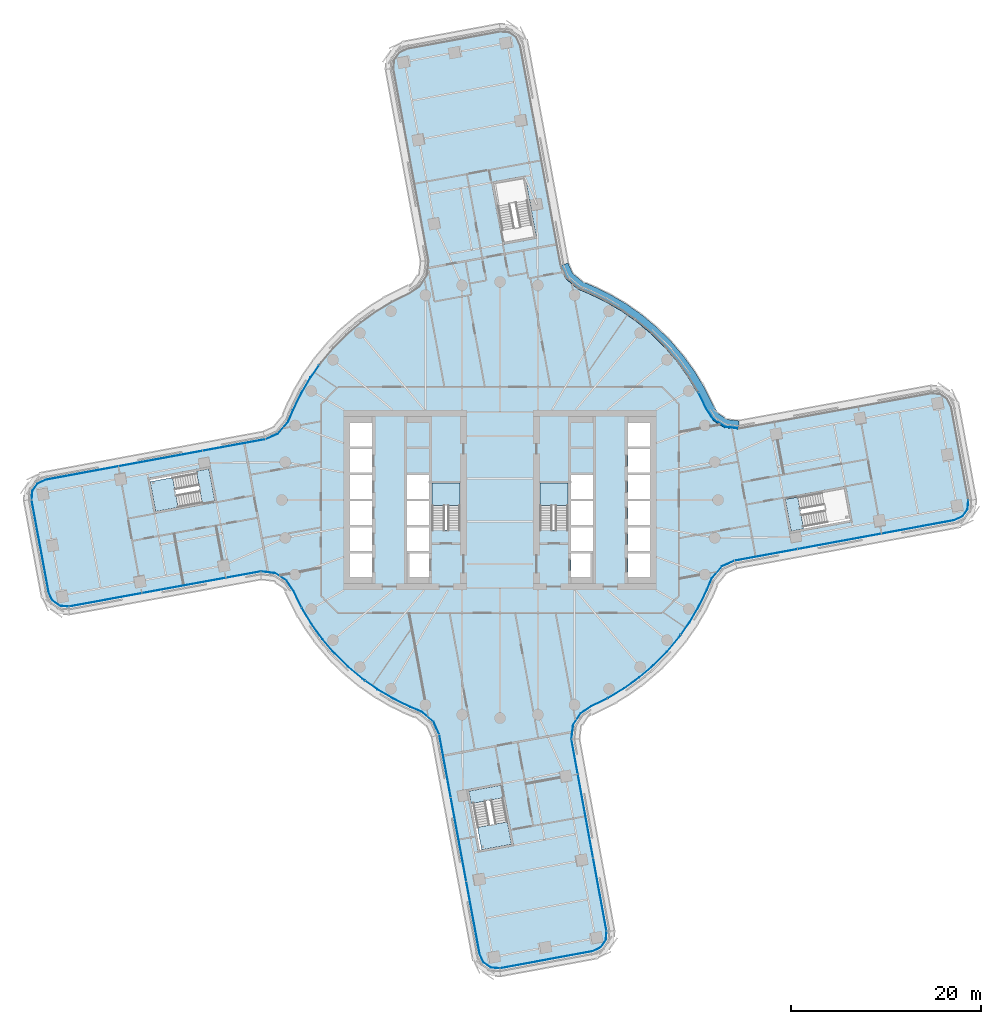
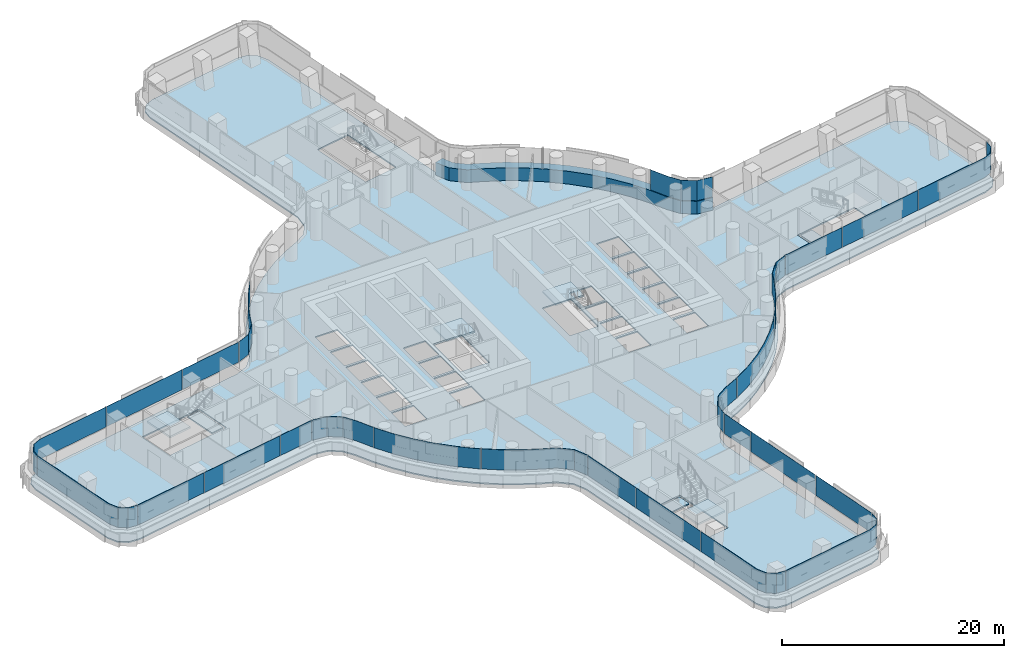
# One storey, part 18 of 33: 25 plates, 8 slabs, 1 member, 15 elements without a shape of their own.
"""IFC4 building model written with IfcOpenShell, lengths in metres."""

from ifc_helpers import new_model, si_unit, direction, frame, origin, place, context, subcontext, project, spatial, polyline, outline, extrude, material, layer, layer_set, type_object, element, aggregate, save


model = new_model("IFC4")

# Units and contexts
model_context = context("Model", 3, precision=1e-05, world=origin(), true_north=direction((0.0, 1.0)))
body_context = subcontext(model_context, "Body", "Model", "MODEL_VIEW")
ifc_project = project(units=[si_unit("LENGTHUNIT", "METRE"), si_unit("AREAUNIT", "SQUARE_METRE"), si_unit("VOLUMEUNIT", "CUBIC_METRE"), si_unit("PLANEANGLEUNIT", "RADIAN"), si_unit("MASSUNIT", "GRAM", prefix="KILO")], contexts=[model_context])

# Site, building, storey
site_placement = place(None, origin())
site = spatial("IfcSite", under=ifc_project, at=site_placement, CompositionType="ELEMENT")
building_placement = place(site_placement, origin())
building = spatial("IfcBuilding", under=site, at=building_placement, Name="Tamarind Cross Interchange Tower", CompositionType="ELEMENT")
storey_placement = place(building_placement, frame((0.0, 0.0, 71.5)))
storey = spatial("IfcBuildingStorey", under=building, at=storey_placement, Name="L16", CompositionType="ELEMENT", Elevation=71.5)

# Curtain wall, member
ifc_material_1 = material(Name="Aluminium 6063-T6", Category="aluminium")
ifc_layer_1 = layer(ifc_material_1, 0.159912109375)
ifc_layer_set_1 = layer_set([ifc_layer_1], Name="Aluminium 6063-T6")
curtain_wall_type = type_object("IfcCurtainWallType", Name="Office curtain wall, 9.0 m bays", PredefinedType="NOTDEFINED", material=ifc_layer_set_1)
curtain_wall_1_placement = place(storey_placement, origin())
curtain_wall_1 = element("IfcCurtainWall", 1, at=curtain_wall_1_placement, inside=storey, type_object=curtain_wall_type, Name="CWS-L16-10", PredefinedType="NOTDEFINED")
ifc_material_2 = material(Name="Aluminium and insulated spandrel panel", Category="aluminium")
member_type = type_object("IfcMemberType", Name="Floor-edge blade transom", PredefinedType="USERDEFINED", material=ifc_material_2)
member_placement = place(storey_placement, origin())
member = element("IfcMember", 2, at=member_placement, type_object=member_type, Name="CWT-L16-10", ObjectType="TRANSOM", PredefinedType="USERDEFINED", context=body_context, shape_type="SweptSolid", body=[
    extrude(outline(polyline([(25.23046875, 7.435546875), (23.6611328125, 7.62158203125), (22.426025390625, 8.432861328125), (21.672119140625, 9.58447265625), (20.791015625, 11.367431640625), (19.78125, 13.045654296875), (18.636474609375, 14.634521484375), (17.3642578125, 16.12353515625), (15.973388671875, 17.50244140625), (14.4736328125, 18.76171875), (12.874755859375, 19.892822265625), (11.188232421875, 20.88818359375), (9.4208984375, 21.74267578125), (8.221435546875, 22.24609375), (6.90625, 23.361572265625), (6.311767578125, 24.71728515625), (7.177978515625, 24.983154296875), (7.64697265625, 23.913330078125), (8.69775390625, 23.022216796875), (9.791259765625, 22.563232421875), (11.613525390625, 21.68212890625), (13.3642578125, 20.64892578125), (15.023681640625, 19.474853515625), (16.580810546875, 18.167724609375), (18.0244140625, 16.736572265625), (19.344970703125, 15.19091796875), (20.533203125, 13.54150390625), (21.581298828125, 11.799560546875), (22.455078125, 10.03173828125), (23.076416015625, 9.082275390625), (23.977783203125, 8.490234375), (25.201904296875, 8.34521484375), (25.23046875, 7.435546875)])), origin(), (0.0, 0.0, 1.0), 1.39990234375),
])

# Slabs
ifc_material_3 = material(Name="Concrete C35", Category="concrete")
ifc_layer_2 = layer(ifc_material_3, 0.139892578125)
ifc_layer_set_2 = layer_set([ifc_layer_2], Name="Concrete C35")
slab_type_1 = type_object("IfcSlabType", Name="Composite slab 140 Concrete C35", PredefinedType="FLOOR", material=ifc_layer_set_2)
slab_1_placement = place(storey_placement, frame((0.0, 0.0, -0.139892578125)))
element("IfcSlab", 3, at=slab_1_placement, inside=storey, type_object=slab_type_1, Name="Floor slab L16", PredefinedType="FLOOR", context=body_context, shape_type="SweptSolid", body=[
    extrude(outline(polyline([(-23.54541015625, 7.1533203125), (-24.805908203125, 6.6005859375), (-47.99462890625, 2.32470703125), (-48.929443359375, 1.879638671875), (-49.5166015625, 1.027099609375), (-49.598876953125, -0.0048828125), (-47.785400390625, -9.839111328125), (-47.340576171875, -10.77392578125), (-46.48779296875, -11.361083984375), (-45.455810546875, -11.443359375), (-25.220947265625, -7.73876953125), (-23.7666015625, -7.9111328125), (-22.642822265625, -8.6494140625), (-21.93310546875, -9.7333984375), (-21.054443359375, -11.511474609375), (-20.031982421875, -13.2109375), (-18.87255859375, -14.820068359375), (-17.584228515625, -16.327880859375), (-16.17578125, -17.72412109375), (-14.656982421875, -18.99951171875), (-13.0380859375, -20.14501953125), (-11.329833984375, -21.15283203125), (-9.54443359375, -22.01611328125), (-8.38037109375, -22.504638671875), (-7.1533203125, -23.54541015625), (-6.6005859375, -24.805908203125), (-2.32470703125, -47.99462890625), (-1.879638671875, -48.929443359375), (-1.027099609375, -49.5166015625), (0.0048828125, -49.598876953125), (9.839111328125, -47.785400390625), (10.77392578125, -47.340576171875), (11.361083984375, -46.48779296875), (11.443359375, -45.455810546875), (7.73876953125, -25.220947265625), (7.9111328125, -23.7666015625), (8.6494140625, -22.642822265625), (9.7333984375, -21.93310546875), (11.511474609375, -21.054443359375), (13.2109375, -20.031982421875), (14.820068359375, -18.87255859375), (16.327880859375, -17.584228515625), (17.72412109375, -16.17578125), (18.99951171875, -14.656982421875), (20.14501953125, -13.0380859375), (21.15283203125, -11.329833984375), (22.01611328125, -9.54443359375), (22.504638671875, -8.38037109375), (23.54541015625, -7.1533203125), (24.805908203125, -6.6005859375), (47.99462890625, -2.32470703125), (48.929443359375, -1.879638671875), (49.5166015625, -1.027099609375), (49.598876953125, 0.0048828125), (47.785400390625, 9.839111328125), (47.340576171875, 10.77392578125), (46.48779296875, 11.361083984375), (45.455810546875, 11.443359375), (25.220947265625, 7.73876953125), (23.7666015625, 7.9111328125), (22.642822265625, 8.6494140625), (21.93310546875, 9.7333984375), (21.054443359375, 11.511474609375), (20.031982421875, 13.2109375), (18.87255859375, 14.820068359375), (17.584228515625, 16.327880859375), (16.17578125, 17.72412109375), (14.656982421875, 18.99951171875), (13.0380859375, 20.14501953125), (11.329833984375, 21.15283203125), (9.54443359375, 22.01611328125), (8.38037109375, 22.504638671875), (7.1533203125, 23.54541015625), (6.6005859375, 24.805908203125), (2.32470703125, 47.99462890625), (1.879638671875, 48.929443359375), (1.027099609375, 49.5166015625), (-0.0048828125, 49.598876953125), (-9.839111328125, 47.785400390625), (-10.77392578125, 47.340576171875), (-11.361083984375, 46.48779296875), (-11.443359375, 45.455810546875), (-7.73876953125, 25.220947265625), (-7.9111328125, 23.7666015625), (-8.6494140625, 22.642822265625), (-9.7333984375, 21.93310546875), (-11.511474609375, 21.054443359375), (-13.2109375, 20.031982421875), (-14.820068359375, 18.87255859375), (-16.327880859375, 17.584228515625), (-17.72412109375, 16.17578125), (-18.99951171875, 14.656982421875), (-20.14501953125, 13.0380859375), (-21.15283203125, 11.329833984375), (-22.01611328125, 9.54443359375), (-22.504638671875, 8.38037109375), (-23.54541015625, 7.1533203125)]), holes=[polyline([(-13.5, -8.125), (-15.800048828125, -8.125), (-15.800048828125, -5.625), (-13.5, -5.625), (-13.5, -8.125)]), polyline([(-13.5, -5.375), (-15.800048828125, -5.375), (-15.800048828125, -2.875), (-13.5, -2.875), (-13.5, -5.375)]), polyline([(-7.5, -5.375), (-9.800048828125, -5.375), (-9.800048828125, -2.875), (-7.5, -2.875), (-7.5, -5.375)]), polyline([(-15.800048828125, -2.625), (-15.800048828125, -0.125), (-13.5, -0.125), (-13.5, -2.625), (-15.800048828125, -2.625)]), polyline([(-9.800048828125, -2.625), (-9.800048828125, -0.125), (-7.5, -0.125), (-7.5, -2.625), (-9.800048828125, -2.625)]), polyline([(-36.477294921875, -1.449462890625), (-36.513427734375, -1.252685546875), (-37.1318359375, 2.100830078125), (-37.168212890625, 2.29736328125), (-30.544677734375, 3.518798828125), (-30.50830078125, 3.322021484375), (-29.889892578125, -0.03125), (-29.853759765625, -0.22802734375), (-36.477294921875, -1.449462890625)]), polyline([(-15.800048828125, 0.125), (-15.800048828125, 2.625), (-13.5, 2.625), (-13.5, 0.125), (-15.800048828125, 0.125)]), polyline([(-9.800048828125, 0.125), (-9.800048828125, 2.625), (-7.5, 2.625), (-7.5, 0.125), (-9.800048828125, 0.125)]), polyline([(-13.5, 2.875), (-15.800048828125, 2.875), (-15.800048828125, 5.375), (-13.5, 5.375), (-13.5, 2.875)]), polyline([(-15.800048828125, 5.625), (-15.800048828125, 8.125), (-13.5, 8.125), (-13.5, 5.625), (-15.800048828125, 5.625)]), polyline([(-2.100830078125, -37.1318359375), (-2.29736328125, -37.168212890625), (-3.518798828125, -30.544677734375), (-3.322021484375, -30.50830078125), (0.03125, -29.889892578125), (0.22802734375, -29.853759765625), (1.449462890625, -36.477294921875), (1.252685546875, -36.513427734375), (-2.100830078125, -37.1318359375)]), polyline([(-9.800048828125, -8.125), (-9.800048828125, -5.625), (-7.5, -5.625), (-7.5, -8.125), (-9.800048828125, -8.125)]), polyline([(9.800048828125, -2.875), (9.800048828125, -5.375), (7.5, -5.375), (7.5, -2.875), (9.800048828125, -2.875)]), polyline([(-4.199951171875, 1.800048828125), (-4.199951171875, -3.18798828125), (-7.14990234375, -3.18798828125), (-7.14990234375, 1.800048828125), (-4.199951171875, 1.800048828125)]), polyline([(7.14990234375, 1.800048828125), (7.14990234375, -3.18798828125), (4.199951171875, -3.18798828125), (4.199951171875, 1.800048828125), (7.14990234375, 1.800048828125)]), polyline([(3.85009765625, 27.5908203125), (3.6533203125, 27.5546875), (0.50634765625, 26.974365234375), (0.309814453125, 26.93798828125), (-0.9052734375, 33.52685546875), (-0.708740234375, 33.563232421875), (2.438232421875, 34.1435546875), (2.635009765625, 34.1796875), (2.686767578125, 33.89892578125), (2.69189453125, 33.899658203125), (2.7392578125, 33.614013671875), (3.85009765625, 27.5908203125)]), polyline([(7.5, -5.625), (9.800048828125, -5.625), (9.800048828125, -8.125), (7.5, -8.125), (7.5, -5.625)]), polyline([(15.800048828125, -5.625), (15.800048828125, -8.125), (13.5, -8.125), (13.5, -5.625), (15.800048828125, -5.625)]), polyline([(15.800048828125, -2.875), (15.800048828125, -5.375), (13.5, -5.375), (13.5, -2.875), (15.800048828125, -2.875)]), polyline([(29.853759765625, 0.22802734375), (36.477294921875, 1.449462890625), (36.513427734375, 1.252685546875), (37.1318359375, -2.100830078125), (37.168212890625, -2.29736328125), (30.544677734375, -3.518798828125), (30.50830078125, -3.322021484375), (29.889892578125, 0.03125), (29.853759765625, 0.22802734375)]), polyline([(7.5, -0.125), (9.800048828125, -0.125), (9.800048828125, -2.625), (7.5, -2.625), (7.5, -0.125)]), polyline([(15.800048828125, -0.125), (15.800048828125, -2.625), (13.5, -2.625), (13.5, -0.125), (15.800048828125, -0.125)]), polyline([(9.800048828125, 2.625), (9.800048828125, 0.125), (7.5, 0.125), (7.5, 2.625), (9.800048828125, 2.625)]), polyline([(13.5, 2.625), (15.800048828125, 2.625), (15.800048828125, 0.125), (13.5, 0.125), (13.5, 2.625)]), polyline([(15.800048828125, 5.375), (15.800048828125, 2.875), (13.5, 2.875), (13.5, 5.375), (15.800048828125, 5.375)]), polyline([(15.800048828125, 8.125), (15.800048828125, 5.625), (13.5, 5.625), (13.5, 8.125), (15.800048828125, 8.125)])]), origin(), (0.0, 0.0, 1.0), 0.139892578125),
])
slab_2_placement = place(storey_placement, frame((0.0, 0.0, -0.139892578125)))
element("IfcSlab", 4, at=slab_2_placement, inside=storey, type_object=slab_type_1, Name="Floor slab L16", PredefinedType="FLOOR", context=body_context, shape_type="SweptSolid", body=[
    extrude(outline(polyline([(-32.02978515625, 3.04150390625), (-31.41162109375, -0.31201171875), (-31.234619140625, -0.279296875), (-30.176513671875, -0.083984375), (-30.086669921875, -0.067626953125), (-30.705078125, 3.285888671875), (-32.02978515625, 3.04150390625)])), origin(), (0.0, 0.0, 1.0), 0.139892578125),
])
slab_3_placement = place(storey_placement, frame((0.0, 0.0, -0.139892578125)))
element("IfcSlab", 5, at=slab_3_placement, inside=storey, type_object=slab_type_1, Name="Floor slab L16", PredefinedType="FLOOR", context=body_context, shape_type="SweptSolid", body=[
    extrude(outline(polyline([(-3.285888671875, -30.705078125), (-3.04150390625, -32.02978515625), (0.31201171875, -31.41162109375), (0.067626953125, -30.086669921875), (-3.285888671875, -30.705078125)])), origin(), (0.0, 0.0, 1.0), 0.139892578125),
])
slab_4_placement = place(storey_placement, frame((0.0, 0.0, -0.139892578125)))
element("IfcSlab", 6, at=slab_4_placement, inside=storey, type_object=slab_type_1, Name="Floor slab L16", PredefinedType="FLOOR", context=body_context, shape_type="SweptSolid", body=[
    extrude(outline(polyline([(32.02978515625, -3.04150390625), (31.41162109375, 0.31201171875), (30.086669921875, 0.067626953125), (30.705078125, -3.285888671875), (32.02978515625, -3.04150390625)])), origin(), (0.0, 0.0, 1.0), 0.139892578125),
])

# Stair, slab
ifc_material_4 = material(Name="Exit stair")
stair_type = type_object("IfcStairType", Name="Exit stair", PredefinedType="HALF_TURN_STAIR", material=ifc_material_4)
stair_1_placement = place(storey_placement, origin())
stair_1 = element("IfcStair", 7, at=stair_1_placement, inside=storey, type_object=stair_type, Name="L16 exit stair ST1", PredefinedType="HALF_TURN_STAIR")
ifc_material_5 = material(Name="Concrete C40", Category="concrete")
ifc_layer_3 = layer(ifc_material_5, 0.199951171875)
ifc_layer_set_3 = layer_set([ifc_layer_3], Name="Concrete C40")
slab_type_2 = type_object("IfcSlabType", Name="Stair landing", PredefinedType="LANDING", material=ifc_layer_set_3)
slab_5_placement = place(storey_placement, frame((0.0, 0.0, 1.675048828125)))
slab_5 = element("IfcSlab", 8, at=slab_5_placement, type_object=slab_type_2, Name="ST1 landing 1", PredefinedType="LANDING", context=body_context, shape_type="SweptSolid", body=[
    extrude(outline(polyline([(-4.199951171875, -0.60009765625), (-4.199951171875, 1.800048828125), (-7.14990234375, 1.800048828125), (-7.14990234375, -0.60009765625), (-4.199951171875, -0.60009765625)])), origin(), (0.0, 0.0, 1.0), 0.199951171875),
])
aggregate(stair_1, [slab_5])

stair_2_placement = place(storey_placement, origin())
stair_2 = element("IfcStair", 9, at=stair_2_placement, inside=storey, type_object=stair_type, Name="L16 exit stair ST2", PredefinedType="HALF_TURN_STAIR")
slab_6_placement = place(storey_placement, frame((0.0, 0.0, 1.675048828125)))
slab_6 = element("IfcSlab", 10, at=slab_6_placement, type_object=slab_type_2, Name="ST2 landing 1", PredefinedType="LANDING", context=body_context, shape_type="SweptSolid", body=[
    extrude(outline(polyline([(7.14990234375, -0.60009765625), (7.14990234375, 1.800048828125), (4.199951171875, 1.800048828125), (4.199951171875, -0.60009765625), (7.14990234375, -0.60009765625)])), origin(), (0.0, 0.0, 1.0), 0.199951171875),
])
aggregate(stair_2, [slab_6])

stair_3_placement = place(storey_placement, origin())
stair_3 = element("IfcStair", 11, at=stair_3_placement, inside=storey, type_object=stair_type, Name="L16 exit stair ST5", PredefinedType="HALF_TURN_STAIR")
slab_7_placement = place(storey_placement, frame((0.0, 0.0, 1.675048828125)))
slab_7 = element("IfcSlab", 12, at=slab_7_placement, type_object=slab_type_2, Name="ST5 landing 1", PredefinedType="LANDING", context=body_context, shape_type="SweptSolid", body=[
    extrude(outline(polyline([(-34.525146484375, 2.367919921875), (-36.89697265625, 1.930419921875), (-36.31689453125, -1.21630859375), (-33.94482421875, -0.779052734375), (-34.525146484375, 2.367919921875)])), origin(), (0.0, 0.0, 1.0), 0.199951171875),
])
aggregate(stair_3, [slab_7])

stair_4_placement = place(storey_placement, origin())
stair_4 = element("IfcStair", 13, at=stair_4_placement, inside=storey, type_object=stair_type, Name="L16 exit stair ST6", PredefinedType="HALF_TURN_STAIR")
slab_8_placement = place(storey_placement, frame((0.0, 0.0, 1.675048828125)))
slab_8 = element("IfcSlab", 14, at=slab_8_placement, type_object=slab_type_2, Name="ST6 landing 1", PredefinedType="LANDING", context=body_context, shape_type="SweptSolid", body=[
    extrude(outline(polyline([(-2.367919921875, -34.525146484375), (-1.930419921875, -36.89697265625), (1.21630859375, -36.31689453125), (0.779052734375, -33.94482421875), (-2.367919921875, -34.525146484375)])), origin(), (0.0, 0.0, 1.0), 0.199951171875),
])
aggregate(stair_4, [slab_8])

# Curtain wall, plate
curtain_wall_2_placement = place(storey_placement, origin())
curtain_wall_2 = element("IfcCurtainWall", 15, at=curtain_wall_2_placement, inside=storey, type_object=curtain_wall_type, Name="CWS-L16-00", PredefinedType="NOTDEFINED")
ifc_material_6 = material(Name="Laminated low-e glass 8+1.52+8", Category="glass")
ifc_layer_4 = layer(ifc_material_6, 0.028076171875)
ifc_layer_set_4 = layer_set([ifc_layer_4], Name="Laminated low-e glass 8+1.52+8")
plate_type = type_object("IfcPlateType", Name="Vision panel CW1", PredefinedType="CURTAIN_PANEL", material=ifc_layer_set_4)
plate_1_placement = place(storey_placement, frame((0.0, 0.0, 1.39990234375)))
plate_1 = element("IfcPlate", 16, at=plate_1_placement, type_object=plate_type, Name="CWP-L16-00-00", PredefinedType="CURTAIN_PANEL", context=body_context, shape_type="SweptSolid", body=[
    extrude(outline(polyline([(-49.378173828125, -0.021484375), (-47.580078125, -9.772705078125), (-47.171875, -10.630126953125), (-46.413818359375, -11.15234375), (-45.494873046875, -11.2255859375), (-45.4970703125, -11.25341796875), (-46.42333984375, -11.1796875), (-47.194091796875, -10.64892578125), (-47.60693359375, -9.78125), (-49.40576171875, -0.026611328125), (-49.378173828125, -0.021484375)])), origin(), (0.0, 0.0, 1.0), 2.210205078125),
])
aggregate(curtain_wall_2, [plate_1])

# Curtain wall, plates
curtain_wall_3_placement = place(storey_placement, origin())
curtain_wall_3 = element("IfcCurtainWall", 17, at=curtain_wall_3_placement, inside=storey, type_object=curtain_wall_type, Name="CWS-L16-01", PredefinedType="NOTDEFINED")
plate_2_placement = place(storey_placement, frame((0.0, 0.0, 1.39990234375)))
plate_2 = element("IfcPlate", 18, at=plate_2_placement, type_object=plate_type, Name="CWP-L16-01-00", PredefinedType="CURTAIN_PANEL", context=body_context, shape_type="SweptSolid", body=[
    extrude(outline(polyline([(-45.439208984375, -11.22265625), (-37.78271484375, -9.821044921875), (-37.77783203125, -9.848388671875), (-45.43408203125, -11.250244140625), (-45.439208984375, -11.22265625)])), origin(), (0.0, 0.0, 1.0), 2.210205078125),
])
plate_3_placement = place(storey_placement, frame((0.0, 0.0, 1.39990234375)))
plate_3 = element("IfcPlate", 19, at=plate_3_placement, type_object=plate_type, Name="CWP-L16-01-01", PredefinedType="CURTAIN_PANEL", context=body_context, shape_type="SweptSolid", body=[
    extrude(outline(polyline([(-37.7236328125, -9.81005859375), (-28.92822265625, -8.199951171875), (-28.923095703125, -8.227294921875), (-37.71875, -9.837646484375), (-37.7236328125, -9.81005859375)])), origin(), (0.0, 0.0, 1.0), 2.210205078125),
])
plate_4_placement = place(storey_placement, frame((0.0, 0.0, 1.39990234375)))
plate_4 = element("IfcPlate", 20, at=plate_4_placement, type_object=plate_type, Name="CWP-L16-01-02", PredefinedType="CURTAIN_PANEL", context=body_context, shape_type="SweptSolid", body=[
    extrude(outline(polyline([(-28.869140625, -8.18896484375), (-25.25927734375, -7.528076171875), (-25.25439453125, -7.5556640625), (-28.8642578125, -8.216552734375), (-28.869140625, -8.18896484375)])), origin(), (0.0, 0.0, 1.0), 2.210205078125),
])
aggregate(curtain_wall_3, [plate_2, plate_3, plate_4])

curtain_wall_4_placement = place(storey_placement, origin())
curtain_wall_4 = element("IfcCurtainWall", 21, at=curtain_wall_4_placement, inside=storey, type_object=curtain_wall_type, Name="CWS-L16-02", PredefinedType="NOTDEFINED")
plate_5_placement = place(storey_placement, frame((0.0, 0.0, 1.39990234375)))
plate_5 = element("IfcPlate", 22, at=plate_5_placement, type_object=plate_type, Name="CWP-L16-02-00", PredefinedType="CURTAIN_PANEL", context=body_context, shape_type="SweptSolid", body=[
    extrude(outline(polyline([(-25.19580078125, -7.526123046875), (-23.69140625, -7.70458984375), (-22.488037109375, -8.494873046875), (-21.7470703125, -9.627197265625), (-20.927001953125, -11.28662109375), (-20.951904296875, -11.299072265625), (-21.771484375, -9.64111328125), (-22.50830078125, -8.51513671875), (-23.701171875, -7.731689453125), (-25.19921875, -7.553955078125), (-25.19580078125, -7.526123046875)])), origin(), (0.0, 0.0, 1.0), 2.210205078125),
])
plate_6_placement = place(storey_placement, frame((0.0, 0.0, 1.39990234375)))
plate_6 = element("IfcPlate", 23, at=plate_6_placement, type_object=plate_type, Name="CWP-L16-02-01", PredefinedType="CURTAIN_PANEL", context=body_context, shape_type="SweptSolid", body=[
    extrude(outline(polyline([(-20.900390625, -11.34033203125), (-20.866455078125, -11.40869140625), (-19.85302734375, -13.093017578125), (-18.7041015625, -14.687744140625), (-17.42724609375, -16.18212890625), (-16.031494140625, -17.56591796875), (-14.526123046875, -18.829833984375), (-14.23583984375, -19.03515625), (-14.252197265625, -19.05810546875), (-14.543212890625, -18.85205078125), (-16.05029296875, -17.586669921875), (-17.44775390625, -16.201171875), (-18.72607421875, -14.705078125), (-19.87646484375, -13.1083984375), (-20.89111328125, -11.422119140625), (-20.92529296875, -11.352783203125), (-20.900390625, -11.34033203125)])), origin(), (0.0, 0.0, 1.0), 2.210205078125),
])
plate_7_placement = place(storey_placement, frame((0.0, 0.0, 1.39990234375)))
plate_7 = element("IfcPlate", 24, at=plate_7_placement, type_object=plate_type, Name="CWP-L16-02-02", PredefinedType="CURTAIN_PANEL", context=body_context, shape_type="SweptSolid", body=[
    extrude(outline(polyline([(-14.18701171875, -19.06982421875), (-12.921630859375, -19.965087890625), (-11.228759765625, -20.9638671875), (-9.456298828125, -21.821044921875), (-8.26708984375, -22.320068359375), (-6.97705078125, -23.414306640625), (-6.4072265625, -24.7138671875), (-6.432861328125, -24.72509765625), (-7.000244140625, -23.431396484375), (-8.281982421875, -22.34423828125), (-9.4677734375, -21.846435546875), (-11.241943359375, -20.98876953125), (-12.936767578125, -19.988525390625), (-14.203125, -19.0927734375), (-14.18701171875, -19.06982421875)])), origin(), (0.0, 0.0, 1.0), 2.210205078125),
])
aggregate(curtain_wall_4, [plate_5, plate_6, plate_7])

curtain_wall_5_placement = place(storey_placement, origin())
curtain_wall_5 = element("IfcCurtainWall", 25, at=curtain_wall_5_placement, inside=storey, type_object=curtain_wall_type, Name="CWS-L16-03", PredefinedType="NOTDEFINED")
plate_8_placement = place(storey_placement, frame((0.0, 0.0, 1.39990234375)))
plate_8 = element("IfcPlate", 26, at=plate_8_placement, type_object=plate_type, Name="CWP-L16-03-00", PredefinedType="CURTAIN_PANEL", context=body_context, shape_type="SweptSolid", body=[
    extrude(outline(polyline([(-6.388916015625, -24.77392578125), (-5.17822265625, -31.33984375), (-5.20556640625, -31.344970703125), (-6.41650390625, -24.779052734375), (-6.388916015625, -24.77392578125)])), origin(), (0.0, 0.0, 1.0), 2.210205078125),
])
plate_9_placement = place(storey_placement, frame((0.0, 0.0, 1.39990234375)))
plate_9 = element("IfcPlate", 27, at=plate_9_placement, type_object=plate_type, Name="CWP-L16-03-01", PredefinedType="CURTAIN_PANEL", context=body_context, shape_type="SweptSolid", body=[
    extrude(outline(polyline([(-5.167236328125, -31.398681640625), (-3.54638671875, -40.189453125), (-3.57373046875, -40.194580078125), (-5.19482421875, -31.40380859375), (-5.167236328125, -31.398681640625)])), origin(), (0.0, 0.0, 1.0), 2.210205078125),
])
plate_10_placement = place(storey_placement, frame((0.0, 0.0, 1.39990234375)))
plate_10 = element("IfcPlate", 28, at=plate_10_placement, type_object=plate_type, Name="CWP-L16-03-02", PredefinedType="CURTAIN_PANEL", context=body_context, shape_type="SweptSolid", body=[
    extrude(outline(polyline([(-3.535400390625, -40.248291015625), (-2.119140625, -47.92822265625), (-1.711181640625, -48.78564453125), (-0.952880859375, -49.307861328125), (-0.0341796875, -49.381103515625), (-0.036376953125, -49.408935546875), (-0.962646484375, -49.335205078125), (-1.733154296875, -48.804443359375), (-2.14599609375, -47.936767578125), (-3.56298828125, -40.25341796875), (-3.535400390625, -40.248291015625)])), origin(), (0.0, 0.0, 1.0), 2.210205078125),
])
aggregate(curtain_wall_5, [plate_8, plate_9, plate_10])

# Curtain wall, plate
curtain_wall_6_placement = place(storey_placement, origin())
curtain_wall_6 = element("IfcCurtainWall", 29, at=curtain_wall_6_placement, inside=storey, type_object=curtain_wall_type, Name="CWS-L16-04", PredefinedType="NOTDEFINED")
plate_11_placement = place(storey_placement, frame((0.0, 0.0, 1.39990234375)))
plate_11 = element("IfcPlate", 30, at=plate_11_placement, type_object=plate_type, Name="CWP-L16-04-00", PredefinedType="CURTAIN_PANEL", context=body_context, shape_type="SweptSolid", body=[
    extrude(outline(polyline([(0.021484375, -49.378173828125), (9.772705078125, -47.580078125), (10.630126953125, -47.171875), (11.15234375, -46.413818359375), (11.2255859375, -45.494873046875), (11.25341796875, -45.4970703125), (11.1796875, -46.42333984375), (10.64892578125, -47.194091796875), (9.78125, -47.60693359375), (0.026611328125, -49.40576171875), (0.021484375, -49.378173828125)])), origin(), (0.0, 0.0, 1.0), 2.210205078125),
])
aggregate(curtain_wall_6, [plate_11])

# Curtain wall, plates
curtain_wall_7_placement = place(storey_placement, origin())
curtain_wall_7 = element("IfcCurtainWall", 31, at=curtain_wall_7_placement, inside=storey, type_object=curtain_wall_type, Name="CWS-L16-05", PredefinedType="NOTDEFINED")
plate_12_placement = place(storey_placement, frame((0.0, 0.0, 1.39990234375)))
plate_12 = element("IfcPlate", 32, at=plate_12_placement, type_object=plate_type, Name="CWP-L16-05-00", PredefinedType="CURTAIN_PANEL", context=body_context, shape_type="SweptSolid", body=[
    extrude(outline(polyline([(11.22265625, -45.439208984375), (9.821044921875, -37.78271484375), (9.848388671875, -37.77783203125), (11.250244140625, -45.43408203125), (11.22265625, -45.439208984375)])), origin(), (0.0, 0.0, 1.0), 2.210205078125),
])
plate_13_placement = place(storey_placement, frame((0.0, 0.0, 1.39990234375)))
plate_13 = element("IfcPlate", 33, at=plate_13_placement, type_object=plate_type, Name="CWP-L16-05-01", PredefinedType="CURTAIN_PANEL", context=body_context, shape_type="SweptSolid", body=[
    extrude(outline(polyline([(9.81005859375, -37.7236328125), (8.199951171875, -28.92822265625), (8.227294921875, -28.923095703125), (9.837646484375, -37.71875), (9.81005859375, -37.7236328125)])), origin(), (0.0, 0.0, 1.0), 2.210205078125),
])
plate_14_placement = place(storey_placement, frame((0.0, 0.0, 1.39990234375)))
plate_14 = element("IfcPlate", 34, at=plate_14_placement, type_object=plate_type, Name="CWP-L16-05-02", PredefinedType="CURTAIN_PANEL", context=body_context, shape_type="SweptSolid", body=[
    extrude(outline(polyline([(8.18896484375, -28.869140625), (7.528076171875, -25.25927734375), (7.5556640625, -25.25439453125), (8.216552734375, -28.8642578125), (8.18896484375, -28.869140625)])), origin(), (0.0, 0.0, 1.0), 2.210205078125),
])
aggregate(curtain_wall_7, [plate_12, plate_13, plate_14])

curtain_wall_8_placement = place(storey_placement, origin())
curtain_wall_8 = element("IfcCurtainWall", 35, at=curtain_wall_8_placement, inside=storey, type_object=curtain_wall_type, Name="CWS-L16-06", PredefinedType="NOTDEFINED")
plate_15_placement = place(storey_placement, frame((0.0, 0.0, 1.39990234375)))
plate_15 = element("IfcPlate", 36, at=plate_15_placement, type_object=plate_type, Name="CWP-L16-06-00", PredefinedType="CURTAIN_PANEL", context=body_context, shape_type="SweptSolid", body=[
    extrude(outline(polyline([(7.526123046875, -25.19580078125), (7.70458984375, -23.69140625), (8.494873046875, -22.488037109375), (9.627197265625, -21.7470703125), (11.28662109375, -20.927001953125), (11.299072265625, -20.951904296875), (9.64111328125, -21.771484375), (8.51513671875, -22.50830078125), (7.731689453125, -23.701171875), (7.553955078125, -25.19921875), (7.526123046875, -25.19580078125)])), origin(), (0.0, 0.0, 1.0), 2.210205078125),
])
plate_16_placement = place(storey_placement, frame((0.0, 0.0, 1.39990234375)))
plate_16 = element("IfcPlate", 37, at=plate_16_placement, type_object=plate_type, Name="CWP-L16-06-01", PredefinedType="CURTAIN_PANEL", context=body_context, shape_type="SweptSolid", body=[
    extrude(outline(polyline([(11.34033203125, -20.900390625), (11.40869140625, -20.866455078125), (13.093017578125, -19.85302734375), (14.687744140625, -18.7041015625), (16.18212890625, -17.42724609375), (17.56591796875, -16.031494140625), (18.829833984375, -14.526123046875), (19.03515625, -14.23583984375), (19.05810546875, -14.252197265625), (18.85205078125, -14.543212890625), (17.586669921875, -16.05029296875), (16.201171875, -17.44775390625), (14.705078125, -18.72607421875), (13.1083984375, -19.87646484375), (11.422119140625, -20.89111328125), (11.352783203125, -20.92529296875), (11.34033203125, -20.900390625)])), origin(), (0.0, 0.0, 1.0), 2.210205078125),
])
plate_17_placement = place(storey_placement, frame((0.0, 0.0, 1.39990234375)))
plate_17 = element("IfcPlate", 38, at=plate_17_placement, type_object=plate_type, Name="CWP-L16-06-02", PredefinedType="CURTAIN_PANEL", context=body_context, shape_type="SweptSolid", body=[
    extrude(outline(polyline([(19.06982421875, -14.18701171875), (19.965087890625, -12.921630859375), (20.9638671875, -11.228759765625), (21.821044921875, -9.456298828125), (22.320068359375, -8.26708984375), (23.414306640625, -6.97705078125), (24.7138671875, -6.4072265625), (24.72509765625, -6.432861328125), (23.431396484375, -7.000244140625), (22.34423828125, -8.281982421875), (21.846435546875, -9.4677734375), (20.98876953125, -11.241943359375), (19.988525390625, -12.936767578125), (19.0927734375, -14.203125), (19.06982421875, -14.18701171875)])), origin(), (0.0, 0.0, 1.0), 2.210205078125),
])
aggregate(curtain_wall_8, [plate_15, plate_16, plate_17])

curtain_wall_9_placement = place(storey_placement, origin())
curtain_wall_9 = element("IfcCurtainWall", 39, at=curtain_wall_9_placement, inside=storey, type_object=curtain_wall_type, Name="CWS-L16-07", PredefinedType="NOTDEFINED")
plate_18_placement = place(storey_placement, frame((0.0, 0.0, 1.39990234375)))
plate_18 = element("IfcPlate", 40, at=plate_18_placement, type_object=plate_type, Name="CWP-L16-07-00", PredefinedType="CURTAIN_PANEL", context=body_context, shape_type="SweptSolid", body=[
    extrude(outline(polyline([(24.77392578125, -6.388916015625), (31.33984375, -5.17822265625), (31.344970703125, -5.20556640625), (24.779052734375, -6.41650390625), (24.77392578125, -6.388916015625)])), origin(), (0.0, 0.0, 1.0), 2.210205078125),
])
plate_19_placement = place(storey_placement, frame((0.0, 0.0, 1.39990234375)))
plate_19 = element("IfcPlate", 41, at=plate_19_placement, type_object=plate_type, Name="CWP-L16-07-01", PredefinedType="CURTAIN_PANEL", context=body_context, shape_type="SweptSolid", body=[
    extrude(outline(polyline([(31.398681640625, -5.167236328125), (40.189453125, -3.54638671875), (40.194580078125, -3.57373046875), (31.40380859375, -5.19482421875), (31.398681640625, -5.167236328125)])), origin(), (0.0, 0.0, 1.0), 2.210205078125),
])
plate_20_placement = place(storey_placement, frame((0.0, 0.0, 1.39990234375)))
plate_20 = element("IfcPlate", 42, at=plate_20_placement, type_object=plate_type, Name="CWP-L16-07-02", PredefinedType="CURTAIN_PANEL", context=body_context, shape_type="SweptSolid", body=[
    extrude(outline(polyline([(40.248291015625, -3.535400390625), (47.92822265625, -2.119140625), (48.78564453125, -1.711181640625), (49.307861328125, -0.952880859375), (49.381103515625, -0.0341796875), (49.408935546875, -0.036376953125), (49.335205078125, -0.962646484375), (48.804443359375, -1.733154296875), (47.936767578125, -2.14599609375), (40.25341796875, -3.56298828125), (40.248291015625, -3.535400390625)])), origin(), (0.0, 0.0, 1.0), 2.210205078125),
])
aggregate(curtain_wall_9, [plate_18, plate_19, plate_20])

# Plate
plate_21_placement = place(storey_placement, frame((0.0, 0.0, 1.39990234375)))
plate_21 = element("IfcPlate", 43, at=plate_21_placement, type_object=plate_type, Name="CWP-L16-10-00", PredefinedType="CURTAIN_PANEL", context=body_context, shape_type="SweptSolid", body=[
    extrude(outline(polyline([(25.19580078125, 7.526123046875), (23.69140625, 7.70458984375), (22.488037109375, 8.494873046875), (21.7470703125, 9.627197265625), (20.927001953125, 11.28662109375), (20.951904296875, 11.299072265625), (21.771484375, 9.64111328125), (22.50830078125, 8.51513671875), (23.701171875, 7.731689453125), (25.19921875, 7.553955078125), (25.19580078125, 7.526123046875)])), origin(), (0.0, 0.0, 1.0), 2.210205078125),
])

aggregate(curtain_wall_1, [plate_21, member])

# Curtain wall, plate
curtain_wall_10_placement = place(storey_placement, origin())
curtain_wall_10 = element("IfcCurtainWall", 44, at=curtain_wall_10_placement, inside=storey, type_object=curtain_wall_type, Name="CWS-L16-14", PredefinedType="NOTDEFINED")
plate_22_placement = place(storey_placement, frame((0.0, 0.0, 1.39990234375)))
plate_22 = element("IfcPlate", 45, at=plate_22_placement, type_object=plate_type, Name="CWP-L16-14-02", PredefinedType="CURTAIN_PANEL", context=body_context, shape_type="SweptSolid", body=[
    extrude(outline(polyline([(-19.06982421875, 14.18701171875), (-19.965087890625, 12.921630859375), (-20.9638671875, 11.228759765625), (-21.821044921875, 9.456298828125), (-22.320068359375, 8.26708984375), (-23.414306640625, 6.97705078125), (-24.7138671875, 6.4072265625), (-24.72509765625, 6.432861328125), (-23.431396484375, 7.000244140625), (-22.34423828125, 8.281982421875), (-21.846435546875, 9.4677734375), (-20.98876953125, 11.241943359375), (-19.988525390625, 12.936767578125), (-19.0927734375, 14.203125), (-19.06982421875, 14.18701171875)])), origin(), (0.0, 0.0, 1.0), 2.210205078125),
])
aggregate(curtain_wall_10, [plate_22])

# Curtain wall, plates
curtain_wall_11_placement = place(storey_placement, origin())
curtain_wall_11 = element("IfcCurtainWall", 46, at=curtain_wall_11_placement, inside=storey, type_object=curtain_wall_type, Name="CWS-L16-15", PredefinedType="NOTDEFINED")
plate_23_placement = place(storey_placement, frame((0.0, 0.0, 1.39990234375)))
plate_23 = element("IfcPlate", 47, at=plate_23_placement, type_object=plate_type, Name="CWP-L16-15-00", PredefinedType="CURTAIN_PANEL", context=body_context, shape_type="SweptSolid", body=[
    extrude(outline(polyline([(-24.77392578125, 6.388916015625), (-31.33984375, 5.17822265625), (-31.344970703125, 5.20556640625), (-24.779052734375, 6.41650390625), (-24.77392578125, 6.388916015625)])), origin(), (0.0, 0.0, 1.0), 2.210205078125),
])
plate_24_placement = place(storey_placement, frame((0.0, 0.0, 1.39990234375)))
plate_24 = element("IfcPlate", 48, at=plate_24_placement, type_object=plate_type, Name="CWP-L16-15-01", PredefinedType="CURTAIN_PANEL", context=body_context, shape_type="SweptSolid", body=[
    extrude(outline(polyline([(-31.398681640625, 5.167236328125), (-40.189453125, 3.54638671875), (-40.194580078125, 3.57373046875), (-31.40380859375, 5.19482421875), (-31.398681640625, 5.167236328125)])), origin(), (0.0, 0.0, 1.0), 2.210205078125),
])
plate_25_placement = place(storey_placement, frame((0.0, 0.0, 1.39990234375)))
plate_25 = element("IfcPlate", 49, at=plate_25_placement, type_object=plate_type, Name="CWP-L16-15-02", PredefinedType="CURTAIN_PANEL", context=body_context, shape_type="SweptSolid", body=[
    extrude(outline(polyline([(-40.248291015625, 3.535400390625), (-47.92822265625, 2.119140625), (-48.78564453125, 1.711181640625), (-49.307861328125, 0.952880859375), (-49.381103515625, 0.0341796875), (-49.408935546875, 0.036376953125), (-49.335205078125, 0.962646484375), (-48.804443359375, 1.733154296875), (-47.936767578125, 2.14599609375), (-40.25341796875, 3.56298828125), (-40.248291015625, 3.535400390625)])), origin(), (0.0, 0.0, 1.0), 2.210205078125),
])
aggregate(curtain_wall_11, [plate_23, plate_24, plate_25])

save(model, "model.ifc")
